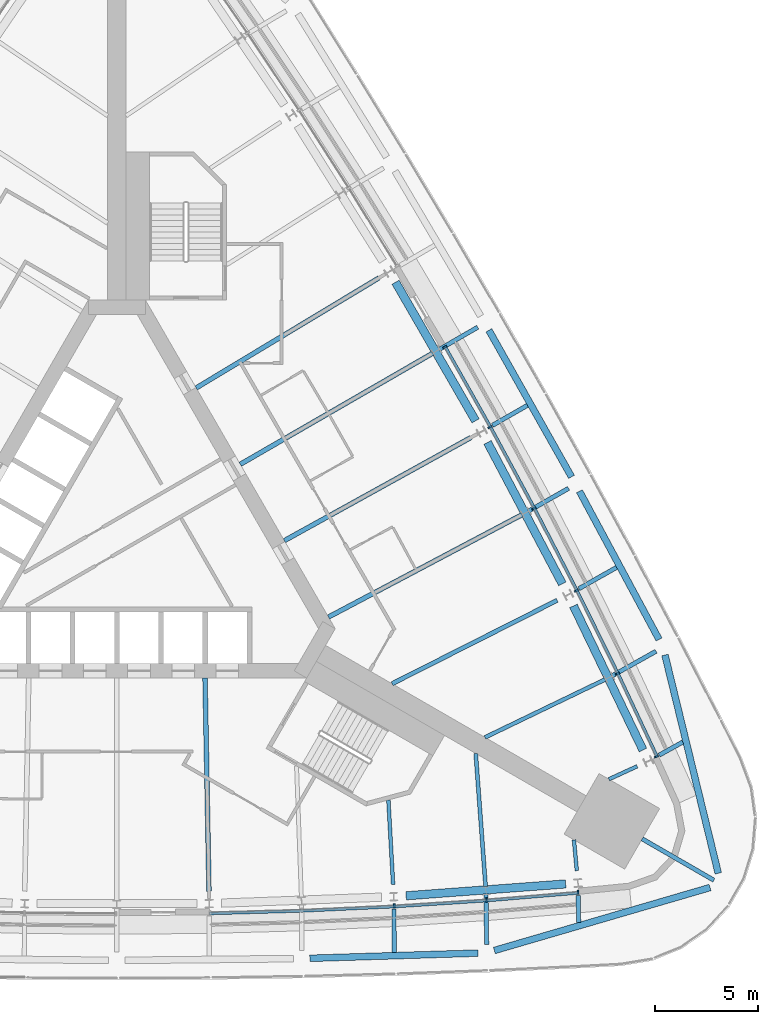
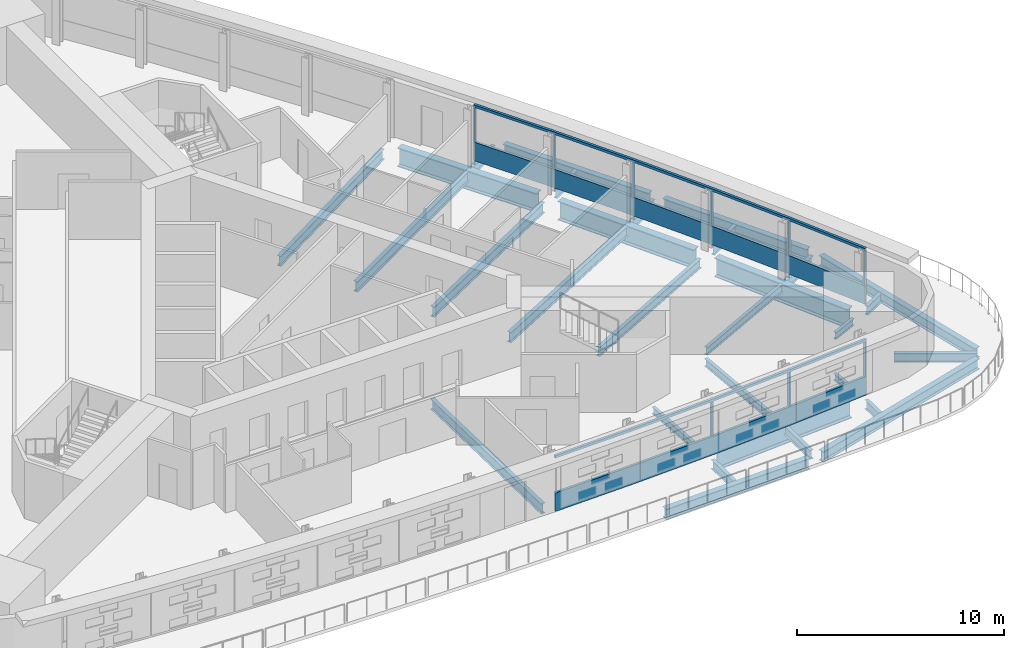
# One storey, part 4 of 14: 30 beams, 13 members, 2 elements without a shape of their own.
"""IFC4 building model written with IfcOpenShell, lengths in metres."""

from ifc_helpers import new_model, si_unit, direction, frame, origin, origin_2d, place, context, subcontext, project, spatial, polyline, rectangle, i_section, outline, extrude, material, material_profile, profile_set, type_object, element, aggregate, save


model = new_model("IFC4")

# Units and contexts
model_context = context("Model", 3, precision=1e-05, world=origin(), true_north=direction((0.0, 1.0)))
body_context = subcontext(model_context, "Body", "Model", "MODEL_VIEW")
ifc_project = project(units=[si_unit("LENGTHUNIT", "METRE"), si_unit("AREAUNIT", "SQUARE_METRE"), si_unit("VOLUMEUNIT", "CUBIC_METRE"), si_unit("PLANEANGLEUNIT", "RADIAN"), si_unit("MASSUNIT", "GRAM", prefix="KILO")], contexts=[model_context])

# Site, building, storey
site_placement = place(None, origin())
site = spatial("IfcSite", under=ifc_project, at=site_placement, CompositionType="ELEMENT")
building_placement = place(site_placement, origin())
building = spatial("IfcBuilding", under=site, at=building_placement, Name="Noor Cloister Tower", CompositionType="ELEMENT")
storey_placement = place(building_placement, frame((0.0, 0.0, 24.0)))
storey = spatial("IfcBuildingStorey", under=building, at=storey_placement, Name="L05", CompositionType="ELEMENT", Elevation=24.0)

# Curtain wall, member
ifc_material_1 = material(Name="Aluminium 6063-T6 anodised", Category="aluminium")
curtain_wall_type = type_object("IfcCurtainWallType", Name="Ribbon curtain wall, lower tower CW1", PredefinedType="NOTDEFINED", material=ifc_material_1)
curtain_wall_1_placement = place(storey_placement, origin())
curtain_wall_1 = element("IfcCurtainWall", 1, at=curtain_wall_1_placement, inside=storey, type_object=curtain_wall_type, Name="CW1 L05 S run 5", PredefinedType="NOTDEFINED")
ifc_material_2 = material(Name="Aluminium 6063-T6 anodised", Category="aluminium")
member_type_1 = type_object("IfcMemberType", Name="Head transom CW1 150", PredefinedType="USERDEFINED", material=ifc_material_2)
member_1_placement = place(storey_placement, frame((0.0, 0.0, 3.14990234375)))
member_1 = element("IfcMember", 2, at=member_1_placement, type_object=member_type_1, Name="CW1 head transom", ObjectType="TRANSOM", PredefinedType="USERDEFINED", context=body_context, shape_type="SweptSolid", body=[
    extrude(outline(polyline([(4.499755859375, -18.44140625), (8.998046875, -18.316162109375), (13.492919921875, -18.107421875), (17.9833984375, -17.8154296875), (22.4677734375, -17.440185546875), (22.4560546875, -17.30078125), (17.97314453125, -17.67578125), (13.4853515625, -17.9677734375), (8.99267578125, -18.17626953125), (4.495849609375, -18.301513671875), (4.499755859375, -18.44140625)])), origin(), (0.0, 0.0, 1.0), 0.150146484375),
])

curtain_wall_2_placement = place(storey_placement, origin())
curtain_wall_2 = element("IfcCurtainWall", 3, at=curtain_wall_2_placement, inside=storey, type_object=curtain_wall_type, Name="CW1 L05 NE run 7", PredefinedType="NOTDEFINED")
member_2_placement = place(storey_placement, frame((0.0, 0.0, 3.14990234375)))
member_2 = element("IfcMember", 4, at=member_2_placement, type_object=member_type_1, Name="CW1 head transom", ObjectType="TRANSOM", PredefinedType="USERDEFINED", context=body_context, shape_type="SweptSolid", body=[
    extrude(outline(polyline([(26.337646484375, -10.737548828125), (24.42041015625, -6.66650390625), (22.42822265625, -2.631591796875), (20.361328125, 1.36572265625), (18.220703125, 5.32373046875), (16.0068359375, 9.24169921875), (15.885009765625, 9.172607421875), (18.09814453125, 5.256103515625), (20.237548828125, 1.30029296875), (22.30322265625, -2.694580078125), (24.29443359375, -6.727294921875), (26.2109375, -10.797119140625), (26.337646484375, -10.737548828125)])), origin(), (0.0, 0.0, 1.0), 0.150146484375),
])

# Member
ifc_material_3 = material(Name="Aluminium 6063-T6 anodised", Category="aluminium")
ifc_material_profile_1 = material_profile(ifc_material_3, rectangle(XDim=0.199951171875, YDim=0.080078125, at=origin_2d()), Name="200 x 80 mullion")
ifc_profile_set_1 = profile_set([ifc_material_profile_1], Name="Aluminium 6063-T6 anodised")
member_type_2 = type_object("IfcMemberType", Name="Mullion CW1 80 x 200", PredefinedType="MULLION", material=ifc_profile_set_1)
member_3_placement = place(storey_placement, frame((13.487548828125, -18.007568359375, 1.10009765625), z_axis=(0.0, 0.0, 1.0), x_axis=(-0.055632953827, 0.99845128797, 0.0)))
member_3 = element("IfcMember", 5, at=member_3_placement, type_object=member_type_2, Name="CW1 mullion 3", PredefinedType="MULLION", context=body_context, shape_type="SweptSolid", body=[
    extrude(rectangle(XDim=0.199951171875, YDim=0.080078125, at=origin_2d()), origin(), (0.0, 0.0, 1.0), 2.0498046875),
])

member_4_placement = place(storey_placement, frame((17.97607421875, -17.7158203125, 1.10009765625), z_axis=(0.0, 0.0, 1.0), x_axis=(-0.074147478009, 0.997247287038, 0.0)))
member_4 = element("IfcMember", 6, at=member_4_placement, type_object=member_type_2, Name="CW1 mullion 4", PredefinedType="MULLION", context=body_context, shape_type="SweptSolid", body=[
    extrude(rectangle(XDim=0.199951171875, YDim=0.080078125, at=origin_2d()), origin(), (0.0, 0.0, 1.0), 2.0498046875),
])

member_5_placement = place(storey_placement, frame((22.41943359375, -17.343994140625, 1.10009765625), z_axis=(0.0, 0.0, 1.0), x_axis=(-0.083395566498, 0.996516522436, 0.0)))
member_5 = element("IfcMember", 7, at=member_5_placement, type_object=member_type_2, Name="CW1 mullion 5", PredefinedType="MULLION", context=body_context, shape_type="SweptSolid", body=[
    extrude(rectangle(XDim=0.199951171875, YDim=0.080078125, at=origin_2d()), origin(), (0.0, 0.0, 1.0), 2.0498046875),
])

member_6_placement = place(storey_placement, frame((26.22998046875, -10.743896484375, 1.10009765625), z_axis=(0.0, 0.0, 1.0), x_axis=(-0.90470640697, -0.426035582068, 0.0)))
member_6 = element("IfcMember", 8, at=member_6_placement, type_object=member_type_2, Name="CW1 mullion 1", PredefinedType="MULLION", context=body_context, shape_type="SweptSolid", body=[
    extrude(rectangle(XDim=0.199951171875, YDim=0.080078125, at=origin_2d()), origin(), (0.0, 0.0, 1.0), 2.0498046875),
])

member_7_placement = place(storey_placement, frame((24.330322265625, -6.709716796875, 1.10009765625), z_axis=(0.0, 0.0, 1.0), x_axis=(-0.900715223435, -0.434410043937, 0.0)))
member_7 = element("IfcMember", 9, at=member_7_placement, type_object=member_type_2, Name="CW1 mullion 2", PredefinedType="MULLION", context=body_context, shape_type="SweptSolid", body=[
    extrude(rectangle(XDim=0.199951171875, YDim=0.080078125, at=origin_2d()), origin(), (0.0, 0.0, 1.0), 2.0498046875),
])

member_8_placement = place(storey_placement, frame((22.3388671875, -2.6767578125, 1.10009765625), z_axis=(0.0, 0.0, 1.0), x_axis=(-0.892500656737, -0.451046092683, 0.0)))
member_8 = element("IfcMember", 10, at=member_8_placement, type_object=member_type_2, Name="CW1 mullion 3", PredefinedType="MULLION", context=body_context, shape_type="SweptSolid", body=[
    extrude(rectangle(XDim=0.199951171875, YDim=0.080078125, at=origin_2d()), origin(), (0.0, 0.0, 1.0), 2.0498046875),
])

member_9_placement = place(storey_placement, frame((20.27294921875, 1.31884765625, 1.10009765625), z_axis=(0.0, 0.0, 1.0), x_axis=(-0.88397885809, -0.467526874574, 0.0)))
member_9 = element("IfcMember", 11, at=member_9_placement, type_object=member_type_2, Name="CW1 mullion 4", PredefinedType="MULLION", context=body_context, shape_type="SweptSolid", body=[
    extrude(rectangle(XDim=0.199951171875, YDim=0.080078125, at=origin_2d()), origin(), (0.0, 0.0, 1.0), 2.0498046875),
])

member_10_placement = place(storey_placement, frame((18.133056640625, 5.275390625, 1.10009765625), z_axis=(0.0, 0.0, 1.0), x_axis=(-0.875152761016, -0.483846716312, 0.0)))
member_10 = element("IfcMember", 12, at=member_10_placement, type_object=member_type_2, Name="CW1 mullion 5", PredefinedType="MULLION", context=body_context, shape_type="SweptSolid", body=[
    extrude(rectangle(XDim=0.199951171875, YDim=0.080078125, at=origin_2d()), origin(), (0.0, 0.0, 1.0), 2.0498046875),
])

member_11_placement = place(storey_placement, frame((15.939453125, 9.157470703125, 1.10009765625), z_axis=(0.0, 0.0, 1.0), x_axis=(-0.870626545964, -0.491944526814, 0.0)))
member_11 = element("IfcMember", 13, at=member_11_placement, type_object=member_type_2, Name="CW1 mullion 6", PredefinedType="MULLION", context=body_context, shape_type="SweptSolid", body=[
    extrude(rectangle(XDim=0.199951171875, YDim=0.080078125, at=origin_2d()), origin(), (0.0, 0.0, 1.0), 2.0498046875),
])

# Beams
ifc_material_4 = material(Name="Steel ASTM A992 Gr 50", Category="steel")
ifc_material_profile_2 = material_profile(ifc_material_4, i_section(OverallWidth=0.324951171875, OverallDepth=0.616943359375, WebThickness=0.013916015625, FlangeThickness=0.021484375, FilletRadius=0.0126953125, at=origin_2d()), Name="W610x174")
ifc_profile_set_2 = profile_set([ifc_material_profile_2], Name="Steel ASTM A992 Gr 50")
beam_type_1 = type_object("IfcBeamType", Name="Podium perimeter beam W610x174", PredefinedType="BEAM", material=ifc_profile_set_2)
beam_1_placement = place(storey_placement, frame((9.379638671875, -20.552734375, -0.508544921875), z_axis=(0.999525578868, 0.030799629673, 0.0), x_axis=(-0.030799629673, 0.999525578868, 0.0)))
element("IfcBeam", 14, at=beam_1_placement, inside=storey, type_object=beam_type_1, Name="Podium perimeter beam 11 L05", PredefinedType="BEAM", context=body_context, shape_type="SweptSolid", body=[
    extrude(i_section(OverallWidth=0.324951171875, OverallDepth=0.616943359375, WebThickness=0.013916015625, FlangeThickness=0.021484375, FilletRadius=0.0126953125, at=origin_2d()), origin(), (0.0, 0.0, 1.0), 8.180419921875),
])
for number, where, z_axis, x_axis, name in (
    (15, (18.3515625, -20.1728515625, -0.508544921875), (0.959935397728, 0.280221398522, 0.0), (-0.280221398522, 0.959935397728, 0.0), "Podium perimeter beam 12 L05"),
    (16, (29.23828125, -16.4189453125, -0.508544921875), (-0.237289539542, 0.971438971024, 0.0), (-0.971438971024, -0.237289539542, 0.0), "Podium perimeter beam 13 L05"),
):
    element("IfcBeam", number, at=place(storey_placement, frame(where, z_axis=z_axis, x_axis=x_axis)), inside=storey, type_object=beam_type_1, Name=name, PredefinedType="BEAM", context=body_context, shape_type="SweptSolid", body=[
        extrude(i_section(OverallWidth=0.324951171875, OverallDepth=0.616943359375, WebThickness=0.013916015625, FlangeThickness=0.021484375, FilletRadius=0.0126953125, at=origin_2d()), origin(), (0.0, 0.0, 1.0), 10.924560546875),
    ])
for number, where, z_axis, x_axis, name in (
    (17, (26.35888671875, -5.0537109375, -0.508544921875), (-0.47307258725, 0.881023454394, 0.0), (-0.881023454394, -0.47307258725, 0.0), "Podium perimeter beam 14 L05"),
    (18, (22.103271484375, 2.854248046875, -0.508544921875), (-0.491071539523, 0.871119247331, 0.0), (-0.871119247331, -0.491071539523, 0.0), "Podium perimeter beam 15 L05"),
):
    element("IfcBeam", number, at=place(storey_placement, frame(where, z_axis=z_axis, x_axis=x_axis)), inside=storey, type_object=beam_type_1, Name=name, PredefinedType="BEAM", context=body_context, shape_type="SweptSolid", body=[
        extrude(i_section(OverallWidth=0.324951171875, OverallDepth=0.616943359375, WebThickness=0.013916015625, FlangeThickness=0.021484375, FilletRadius=0.0126953125, at=origin_2d()), origin(), (0.0, 0.0, 1.0), 8.18017578125),
    ])
ifc_material_5 = material(Name="Steel ASTM A992 Gr 50", Category="steel")
ifc_material_profile_3 = material_profile(ifc_material_5, i_section(OverallWidth=0.208984375, OverallDepth=0.532958984375, WebThickness=0.01025390625, FlangeThickness=0.015625, FilletRadius=0.0126953125, at=origin_2d()), Name="W530x92")
ifc_profile_set_3 = profile_set([ifc_material_profile_3], Name="Steel ASTM A992 Gr 50")
beam_type_2 = type_object("IfcBeamType", Name="Podium stub beam W530x92", PredefinedType="BEAM", material=ifc_profile_set_3)
beam_2_placement = place(storey_placement, frame((13.468017578125, -18.158935546875, -0.466552734375), z_axis=(0.009163285382, -0.999958016219, 0.0), x_axis=(0.999958016219, 0.009163285382, 0.0)))
element("IfcBeam", 19, at=beam_2_placement, inside=storey, type_object=beam_type_2, Name="Podium stub beam S 08 L05", PredefinedType="BEAM", context=body_context, shape_type="SweptSolid", body=[
    extrude(i_section(OverallWidth=0.208984375, OverallDepth=0.532958984375, WebThickness=0.01025390625, FlangeThickness=0.015625, FilletRadius=0.0126953125, at=origin_2d()), origin(), (0.0, 0.0, 1.0), 2.104736328125),
])
beam_3_placement = place(storey_placement, frame((17.94482421875, -17.427734375, -0.466552734375), z_axis=(0.01310191284, -0.999914166256, 0.0), x_axis=(0.999914166256, 0.01310191284, 0.0)))
element("IfcBeam", 20, at=beam_3_placement, inside=storey, type_object=beam_type_2, Name="Podium stub beam S 09 L05", PredefinedType="BEAM", context=body_context, shape_type="SweptSolid", body=[
    extrude(i_section(OverallWidth=0.208984375, OverallDepth=0.532958984375, WebThickness=0.01025390625, FlangeThickness=0.015625, FilletRadius=0.0126953125, at=origin_2d()), origin(), (0.0, 0.0, 1.0), 2.459716796875),
])
beam_4_placement = place(storey_placement, frame((22.427490234375, -17.494140625, -0.466552734375), z_axis=(0.017661803966, -0.999844018175, 0.0), x_axis=(0.999844018175, 0.017661803966, 0.0)))
element("IfcBeam", 21, at=beam_4_placement, inside=storey, type_object=beam_type_2, Name="Podium stub beam S 10 L05", PredefinedType="BEAM", context=body_context, shape_type="SweptSolid", body=[
    extrude(i_section(OverallWidth=0.208984375, OverallDepth=0.532958984375, WebThickness=0.01025390625, FlangeThickness=0.015625, FilletRadius=0.0126953125, at=origin_2d()), origin(), (0.0, 0.0, 1.0), 1.313232421875),
])
beam_5_placement = place(storey_placement, frame((26.3642578125, -10.675537109375, -0.466552734375), z_axis=(0.874735573686, 0.484600532531, 0.0), x_axis=(-0.484600532531, 0.874735573686, 0.0)))
element("IfcBeam", 22, at=beam_5_placement, inside=storey, type_object=beam_type_2, Name="Podium stub beam NE 00 L05", PredefinedType="BEAM", context=body_context, shape_type="SweptSolid", body=[
    extrude(i_section(OverallWidth=0.208984375, OverallDepth=0.532958984375, WebThickness=0.01025390625, FlangeThickness=0.015625, FilletRadius=0.0126953125, at=origin_2d()), origin(), (0.0, 0.0, 1.0), 1.31298828125),
])
beam_6_placement = place(storey_placement, frame((24.065185546875, -6.826904296875, -0.466552734375), z_axis=(0.872504323501, 0.488606391149, 0.0), x_axis=(-0.488606391149, 0.872504323501, 0.0)))
element("IfcBeam", 23, at=beam_6_placement, inside=storey, type_object=beam_type_2, Name="Podium stub beam NE 01 L05", PredefinedType="BEAM", context=body_context, shape_type="SweptSolid", body=[
    extrude(i_section(OverallWidth=0.208984375, OverallDepth=0.532958984375, WebThickness=0.01025390625, FlangeThickness=0.015625, FilletRadius=0.0126953125, at=origin_2d()), origin(), (0.0, 0.0, 1.0), 2.4599609375),
])
beam_7_placement = place(storey_placement, frame((22.460205078125, -2.583984375, -0.466552734375), z_axis=(0.870610366402, 0.491973159748, 0.0), x_axis=(-0.491973159748, 0.870610366402, 0.0)))
element("IfcBeam", 24, at=beam_7_placement, inside=storey, type_object=beam_type_2, Name="Podium stub beam NE 02 L05", PredefinedType="BEAM", context=body_context, shape_type="SweptSolid", body=[
    extrude(i_section(OverallWidth=0.208984375, OverallDepth=0.532958984375, WebThickness=0.01025390625, FlangeThickness=0.015625, FilletRadius=0.0126953125, at=origin_2d()), origin(), (0.0, 0.0, 1.0), 2.1044921875),
])
beam_8_placement = place(storey_placement, frame((20.014404296875, 1.18798828125, -0.466552734375), z_axis=(0.868967298443, 0.494869512333, 0.0), x_axis=(-0.494869512333, 0.868967298443, 0.0)))
element("IfcBeam", 25, at=beam_8_placement, inside=storey, type_object=beam_type_2, Name="Podium stub beam NE 03 L05", PredefinedType="BEAM", context=body_context, shape_type="SweptSolid", body=[
    extrude(i_section(OverallWidth=0.208984375, OverallDepth=0.532958984375, WebThickness=0.01025390625, FlangeThickness=0.015625, FilletRadius=0.0126953125, at=origin_2d()), origin(), (0.0, 0.0, 1.0), 2.23779296875),
])
beam_9_placement = place(storey_placement, frame((18.259765625, 5.356201171875, -0.466552734375), z_axis=(0.867389720101, 0.497629453974, 0.0), x_axis=(-0.497629453974, 0.867389720101, 0.0)))
element("IfcBeam", 26, at=beam_9_placement, inside=storey, type_object=beam_type_2, Name="Podium stub beam NE 04 L05", PredefinedType="BEAM", context=body_context, shape_type="SweptSolid", body=[
    extrude(i_section(OverallWidth=0.208984375, OverallDepth=0.532958984375, WebThickness=0.01025390625, FlangeThickness=0.015625, FilletRadius=0.0126953125, at=origin_2d()), origin(), (0.0, 0.0, 1.0), 1.95703125),
])
beam_10_placement = place(storey_placement, frame((15.66943359375, 9.046875, -0.466552734375), z_axis=(0.866033383358, 0.499986178718, 0.0), x_axis=(-0.499986178718, 0.866033383358, 0.0)))
element("IfcBeam", 27, at=beam_10_placement, inside=storey, type_object=beam_type_2, Name="Podium stub beam NE 05 L05", PredefinedType="BEAM", context=body_context, shape_type="SweptSolid", body=[
    extrude(i_section(OverallWidth=0.208984375, OverallDepth=0.532958984375, WebThickness=0.01025390625, FlangeThickness=0.015625, FilletRadius=0.0126953125, at=origin_2d()), origin(), (0.0, 0.0, 1.0), 2.16357421875),
])
beam_11_placement = place(storey_placement, frame((25.538330078125, -14.744384765625, -0.466552734375), z_axis=(0.866001699761, -0.500041054325, 0.0), x_axis=(0.500041054325, 0.866001699761, 0.0)))
element("IfcBeam", 28, at=beam_11_placement, inside=storey, type_object=beam_type_2, Name="Podium corner stub beam SE L05", PredefinedType="BEAM", context=body_context, shape_type="SweptSolid", body=[
    extrude(i_section(OverallWidth=0.208984375, OverallDepth=0.532958984375, WebThickness=0.01025390625, FlangeThickness=0.015625, FilletRadius=0.0126953125, at=origin_2d()), origin(), (0.0, 0.0, 1.0), 4.024169921875),
])
ifc_material_6 = material(Name="Steel ASTM A992 Gr 50", Category="steel")
ifc_material_profile_4 = material_profile(ifc_material_6, i_section(OverallWidth=0.177978515625, OverallDepth=0.406005859375, WebThickness=0.0078125, FlangeThickness=0.0126953125, FilletRadius=0.01025390625, at=origin_2d()), Name="W410x60")
ifc_profile_set_4 = profile_set([ifc_material_profile_4], Name="Steel ASTM A992 Gr 50")
beam_type_3 = type_object("IfcBeamType", Name="Radial beam W410x60", PredefinedType="BEAM", material=ifc_profile_set_4)
beam_12_placement = place(storey_placement, frame((13.428955078125, -16.959228515625, -0.403076171875), z_axis=(-0.055591728913, 0.998453584137, 0.0), x_axis=(-0.998453584137, -0.055591728913, 0.0)))
element("IfcBeam", 29, at=beam_12_placement, inside=storey, type_object=beam_type_3, Name="Radial beam S 09 L05", PredefinedType="BEAM", context=body_context, shape_type="SweptSolid", body=[
    extrude(i_section(OverallWidth=0.177978515625, OverallDepth=0.406005859375, WebThickness=0.0078125, FlangeThickness=0.0126953125, FilletRadius=0.01025390625, at=origin_2d()), origin(), (0.0, 0.0, 1.0), 4.110595703125),
])
for number, where, z_axis, x_axis, name in (
    (30, (22.361328125, -16.295166015625, -0.403076171875), (-0.09269423525, 0.995694621233, 0.0), (-0.995694621233, -0.09269423525, 0.0), "Radial beam S 11 L05"),
    (31, (25.292724609375, -11.2177734375, -0.403076171875), (-0.908602193803, -0.417662607157, 0.0), (0.417662607157, -0.908602193803, 0.0), "Radial beam NE 01 L05"),
):
    element("IfcBeam", number, at=place(storey_placement, frame(where, z_axis=z_axis, x_axis=x_axis)), inside=storey, type_object=beam_type_3, Name=name, PredefinedType="BEAM", context=body_context, shape_type="SweptSolid", body=[
        extrude(i_section(OverallWidth=0.177978515625, OverallDepth=0.406005859375, WebThickness=0.0078125, FlangeThickness=0.0126953125, FilletRadius=0.01025390625, at=origin_2d()), origin(), (0.0, 0.0, 1.0), 1.50927734375),
    ])
ifc_material_7 = material(Name="Steel ASTM A992 Gr 50", Category="steel")
ifc_material_profile_5 = material_profile(ifc_material_7, i_section(OverallWidth=0.19091796875, OverallDepth=0.45703125, WebThickness=0.009033203125, FlangeThickness=0.014404296875, FilletRadius=0.01025390625, at=origin_2d()), Name="W460x74")
ifc_profile_set_5 = profile_set([ifc_material_profile_5], Name="Steel ASTM A992 Gr 50")
beam_type_4 = type_object("IfcBeamType", Name="Radial beam W460x74", PredefinedType="BEAM", material=ifc_profile_set_5)
for number, where, z_axis, x_axis, name in (
    (32, (17.927734375, -17.065673828125, -0.428466796875), (-0.074130750663, 0.997248530611, 0.0), (-0.997248530611, -0.074130750663, 0.0), "Radial beam S 10 L05"),
    (33, (23.7431640625, -6.9931640625, -0.428466796875), (-0.900715074777, -0.434410352166, 0.0), (0.434410352166, -0.900715074777, 0.0), "Radial beam NE 02 L05"),
):
    element("IfcBeam", number, at=place(storey_placement, frame(where, z_axis=z_axis, x_axis=x_axis)), inside=storey, type_object=beam_type_4, Name=name, PredefinedType="BEAM", context=body_context, shape_type="SweptSolid", body=[
        extrude(i_section(OverallWidth=0.19091796875, OverallDepth=0.45703125, WebThickness=0.009033203125, FlangeThickness=0.014404296875, FilletRadius=0.01025390625, at=origin_2d()), origin(), (0.0, 0.0, 1.0), 6.4912109375),
    ])
ifc_material_8 = material(Name="Steel ASTM A992 Gr 50", Category="steel")
ifc_material_profile_6 = material_profile(ifc_material_8, i_section(OverallWidth=0.208984375, OverallDepth=0.532958984375, WebThickness=0.01025390625, FlangeThickness=0.015625, FilletRadius=0.0126953125, at=origin_2d()), Name="W530x92")
ifc_profile_set_6 = profile_set([ifc_material_profile_6], Name="Steel ASTM A992 Gr 50")
beam_type_5 = type_object("IfcBeamType", Name="Radial beam W530x92", PredefinedType="BEAM", material=ifc_profile_set_6)
beam_13_placement = place(storey_placement, frame((21.401611328125, -3.150146484375, -0.466552734375), z_axis=(-0.892490546955, -0.451066096705, 0.0), x_axis=(0.451066096705, -0.892490546955, 0.0)))
element("IfcBeam", 34, at=beam_13_placement, inside=storey, type_object=beam_type_5, Name="Radial beam NE 03 L05", PredefinedType="BEAM", context=body_context, shape_type="SweptSolid", body=[
    extrude(i_section(OverallWidth=0.208984375, OverallDepth=0.532958984375, WebThickness=0.01025390625, FlangeThickness=0.015625, FilletRadius=0.0126953125, at=origin_2d()), origin(), (0.0, 0.0, 1.0), 8.989013671875),
])
ifc_material_9 = material(Name="Steel ASTM A992 Gr 50", Category="steel")
ifc_material_profile_7 = material_profile(ifc_material_9, i_section(OverallWidth=0.22802734375, OverallDepth=0.60205078125, WebThickness=0.010498046875, FlangeThickness=0.014892578125, FilletRadius=0.0126953125, at=origin_2d()), Name="W610x101")
ifc_profile_set_7 = profile_set([ifc_material_profile_7], Name="Steel ASTM A992 Gr 50")
beam_type_6 = type_object("IfcBeamType", Name="Radial beam W610x101", PredefinedType="BEAM", material=ifc_profile_set_7)
beam_14_placement = place(storey_placement, frame((4.478515625, -17.29150390625, -0.5009765625), z_axis=(-0.018560692037, 0.999827735518, 0.0), x_axis=(-0.999827735518, -0.018560692037, 0.0)))
element("IfcBeam", 35, at=beam_14_placement, inside=storey, type_object=beam_type_6, Name="Radial beam S 07 L05", PredefinedType="BEAM", context=body_context, shape_type="SweptSolid", body=[
    extrude(i_section(OverallWidth=0.22802734375, OverallDepth=0.60205078125, WebThickness=0.010498046875, FlangeThickness=0.014892578125, FilletRadius=0.0126953125, at=origin_2d()), origin(), (0.0, 0.0, 1.0), 10.364990234375),
])
beam_15_placement = place(storey_placement, frame((19.696533203125, 1.01416015625, -0.5009765625), z_axis=(-0.883977540723, -0.467529365385, 0.0), x_axis=(0.467529365385, -0.883977540723, 0.0)))
element("IfcBeam", 36, at=beam_15_placement, inside=storey, type_object=beam_type_6, Name="Radial beam NE 04 L05", PredefinedType="BEAM", context=body_context, shape_type="SweptSolid", body=[
    extrude(i_section(OverallWidth=0.22802734375, OverallDepth=0.60205078125, WebThickness=0.010498046875, FlangeThickness=0.014892578125, FilletRadius=0.0126953125, at=origin_2d()), origin(), (0.0, 0.0, 1.0), 10.643798828125),
])
beam_16_placement = place(storey_placement, frame((17.214111328125, 4.767333984375, -0.5009765625), z_axis=(-0.875152039929, -0.483848020568, 0.0), x_axis=(0.483848020568, -0.875152039929, 0.0)))
element("IfcBeam", 37, at=beam_16_placement, inside=storey, type_object=beam_type_6, Name="Radial beam NE 05 L05", PredefinedType="BEAM", context=body_context, shape_type="SweptSolid", body=[
    extrude(i_section(OverallWidth=0.22802734375, OverallDepth=0.60205078125, WebThickness=0.010498046875, FlangeThickness=0.014892578125, FilletRadius=0.0126953125, at=origin_2d()), origin(), (0.0, 0.0, 1.0), 10.364990234375),
])
beam_17_placement = place(storey_placement, frame((12.73583984375, 12.524169921875, -0.5009765625), z_axis=(-0.856606308575, -0.515970572911, 0.0), x_axis=(0.515970572911, -0.856606308575, 0.0)))
element("IfcBeam", 38, at=beam_17_placement, inside=storey, type_object=beam_type_6, Name="Radial beam NE 07 L05", PredefinedType="BEAM", context=body_context, shape_type="SweptSolid", body=[
    extrude(i_section(OverallWidth=0.22802734375, OverallDepth=0.60205078125, WebThickness=0.010498046875, FlangeThickness=0.014892578125, FilletRadius=0.0126953125, at=origin_2d()), origin(), (0.0, 0.0, 1.0), 10.365234375),
])
ifc_material_10 = material(Name="Steel ASTM A992 Gr 50", Category="steel")
ifc_material_profile_8 = material_profile(ifc_material_10, i_section(OverallWidth=0.22900390625, OverallDepth=0.612060546875, WebThickness=0.011962890625, FlangeThickness=0.01953125, FilletRadius=0.0126953125, at=origin_2d()), Name="W610x125")
ifc_profile_set_8 = profile_set([ifc_material_profile_8], Name="Steel ASTM A992 Gr 50")
beam_type_7 = type_object("IfcBeamType", Name="Radial beam W610x125", PredefinedType="BEAM", material=ifc_profile_set_8)
beam_18_placement = place(storey_placement, frame((15.355712890625, 8.865478515625, -0.506103515625), z_axis=(-0.866031663374, -0.499989157916, 0.0), x_axis=(0.499989157916, -0.866031663374, 0.0)))
element("IfcBeam", 39, at=beam_18_placement, inside=storey, type_object=beam_type_7, Name="Radial beam NE 06 L05", PredefinedType="BEAM", context=body_context, shape_type="SweptSolid", body=[
    extrude(i_section(OverallWidth=0.22900390625, OverallDepth=0.612060546875, WebThickness=0.011962890625, FlangeThickness=0.01953125, FilletRadius=0.0126953125, at=origin_2d()), origin(), (0.0, 0.0, 1.0), 10.802978515625),
])

# Member
ifc_material_11 = material(Name="Aluminium 6063-T6 anodised", Category="aluminium")
member_type_3 = type_object("IfcMemberType", Name="Sill transom CW1 1100", PredefinedType="USERDEFINED", material=ifc_material_11)
member_12_placement = place(storey_placement, origin())
member_12 = element("IfcMember", 40, at=member_12_placement, type_object=member_type_3, Name="CW1 sill transom", ObjectType="TRANSOM", PredefinedType="USERDEFINED", context=body_context, shape_type="SweptSolid", body=[
    extrude(outline(polyline([(4.499755859375, -18.44140625), (8.998046875, -18.316162109375), (13.492919921875, -18.107421875), (17.9833984375, -17.8154296875), (22.4677734375, -17.440185546875), (22.4560546875, -17.30078125), (17.97314453125, -17.67578125), (13.4853515625, -17.9677734375), (8.99267578125, -18.17626953125), (4.495849609375, -18.301513671875), (4.499755859375, -18.44140625)])), origin(), (0.0, 0.0, 1.0), 1.10009765625),
])

aggregate(curtain_wall_1, [member_3, member_4, member_5, member_12, member_1])

member_13_placement = place(storey_placement, origin())
member_13 = element("IfcMember", 41, at=member_13_placement, type_object=member_type_3, Name="CW1 sill transom", ObjectType="TRANSOM", PredefinedType="USERDEFINED", context=body_context, shape_type="SweptSolid", body=[
    extrude(outline(polyline([(26.337646484375, -10.737548828125), (24.42041015625, -6.66650390625), (22.42822265625, -2.631591796875), (20.361328125, 1.36572265625), (18.220703125, 5.32373046875), (16.0068359375, 9.24169921875), (15.885009765625, 9.172607421875), (18.09814453125, 5.256103515625), (20.237548828125, 1.30029296875), (22.30322265625, -2.694580078125), (24.29443359375, -6.727294921875), (26.2109375, -10.797119140625), (26.337646484375, -10.737548828125)])), origin(), (0.0, 0.0, 1.0), 1.10009765625),
])

aggregate(curtain_wall_2, [member_6, member_7, member_8, member_9, member_10, member_11, member_13, member_2])

# Beams
ifc_material_12 = material(Name="Steel ASTM A992 Gr 50", Category="steel")
ifc_material_profile_9 = material_profile(ifc_material_12, i_section(OverallWidth=0.404052734375, OverallDepth=1.1201171875, WebThickness=0.026123046875, FlangeThickness=0.044921875, FilletRadius=0.02001953125, at=origin_2d()), Name="W1100x499")
ifc_profile_set_9 = profile_set([ifc_material_profile_9], Name="Steel ASTM A992 Gr 50")
beam_type_8 = type_object("IfcBeamType", Name="Transfer girder W1100x499", PredefinedType="BEAM", material=ifc_profile_set_9)
beam_19_placement = place(storey_placement, frame((14.060791015625, -17.513916015625, -0.760009765625), z_axis=(0.997246218275, 0.074161850945, 0.0), x_axis=(-0.074161850945, 0.997246218275, 0.0)))
element("IfcBeam", 42, at=beam_19_placement, inside=storey, type_object=beam_type_8, Name="Transfer girder 10", PredefinedType="BEAM", context=body_context, shape_type="SweptSolid", body=[
    extrude(i_section(OverallWidth=0.404052734375, OverallDepth=1.1201171875, WebThickness=0.026123046875, FlangeThickness=0.044921875, FilletRadius=0.02001953125, at=origin_2d()), origin(), (0.0, 0.0, 1.0), 7.779052734375),
])
for number, where, z_axis, x_axis, name in (
    (43, (25.5771484375, -10.4267578125, -0.760009765625), (-0.434400589533, 0.900719783181, 0.0), (-0.900719783181, -0.434400589533, 0.0), "Transfer girder 11"),
    (44, (21.65673828125, -2.34912109375, -0.760009765625), (-0.467547366886, 0.883968019624, 0.0), (-0.883968019624, -0.467547366886, 0.0), "Transfer girder 12"),
):
    element("IfcBeam", number, at=place(storey_placement, frame(where, z_axis=z_axis, x_axis=x_axis)), inside=storey, type_object=beam_type_8, Name=name, PredefinedType="BEAM", context=body_context, shape_type="SweptSolid", body=[
        extrude(i_section(OverallWidth=0.404052734375, OverallDepth=1.1201171875, WebThickness=0.026123046875, FlangeThickness=0.044921875, FilletRadius=0.02001953125, at=origin_2d()), origin(), (0.0, 0.0, 1.0), 7.77880859375),
    ])
beam_20_placement = place(storey_placement, frame((17.439208984375, 5.577392578125, -0.760009765625), z_axis=(-0.499990506207, 0.866030884959, 0.0), x_axis=(-0.866030884959, -0.499990506207, 0.0)))
element("IfcBeam", 45, at=beam_20_placement, inside=storey, type_object=beam_type_8, Name="Transfer girder 13", PredefinedType="BEAM", context=body_context, shape_type="SweptSolid", body=[
    extrude(i_section(OverallWidth=0.404052734375, OverallDepth=1.1201171875, WebThickness=0.026123046875, FlangeThickness=0.044921875, FilletRadius=0.02001953125, at=origin_2d()), origin(), (0.0, 0.0, 1.0), 7.779052734375),
])

save(model, "model.ifc")
